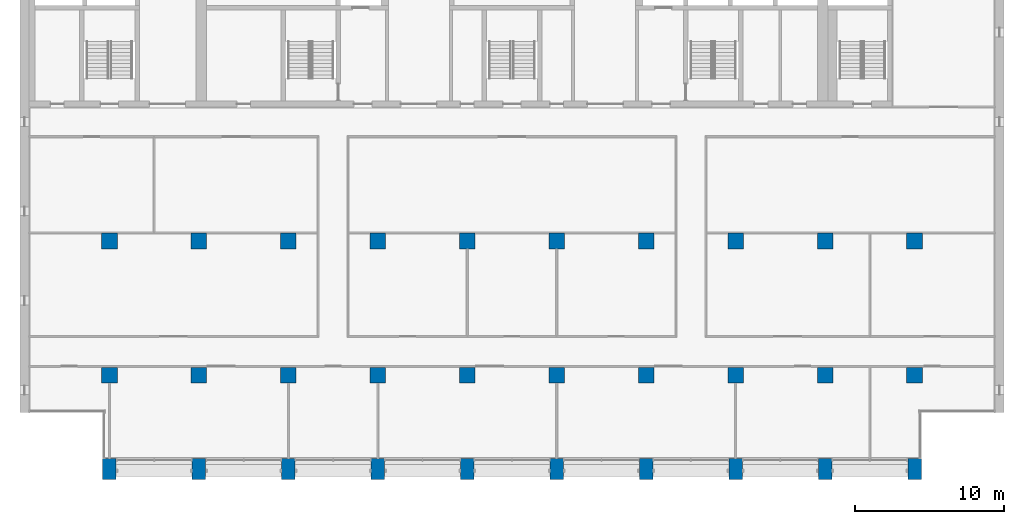
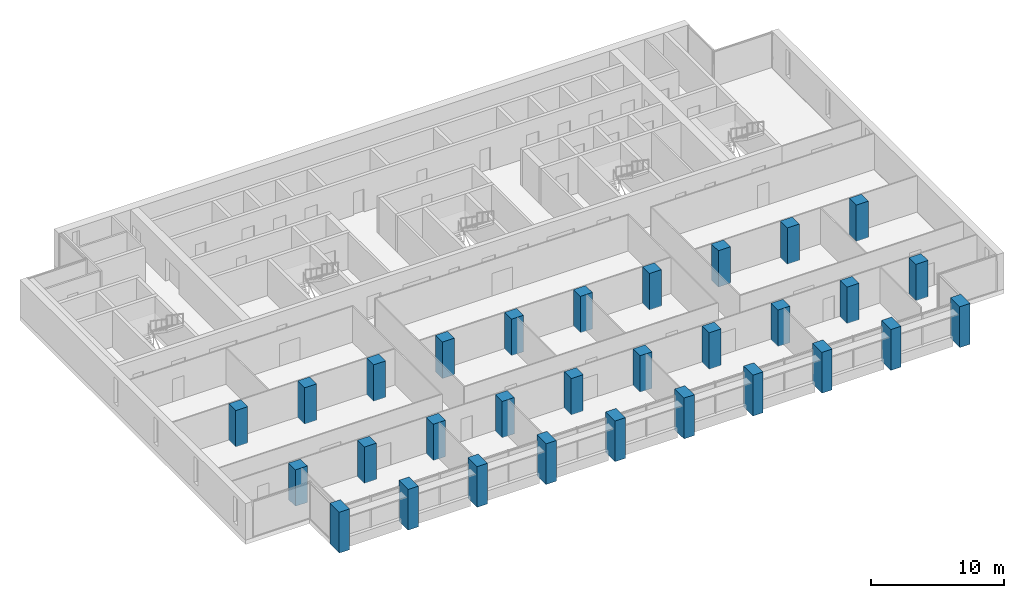
# One storey, part 1 of 17: 30 columns.
"""IFC4 building model written with IfcOpenShell, lengths in metres."""

import ifcopenshell
import ifcopenshell.guid

model = None  # the IFC model being written
_history = None  # IfcOwnerHistory: only IFC2X3 demands one
_inside = {}  # id of a spatial element -> (the spatial element, [elements in it])
_under = {}  # id of a project, library or spatial element -> (it, [spatial elements below it])
_declared = {}  # id of a project -> (the project, [libraries it declares])
_typed = {}  # id of a type object -> (the type object, [elements of that type])
_made_of = {}  # id of a material, layer set ... -> (it, [elements and type objects made of it])


def new_model(schema):
    """Start an empty IFC model of exactly this schema.

    Asked for "IFC4X3", IfcOpenShell would pick the latest addendum, in which some entities
    have other attributes; the version numbers below select the first issue.
    IFC2X3 requires an IfcOwnerHistory on every rooted entity: one is made here for all.
    """
    global model, _history
    if schema == "IFC4X3":
        model = ifcopenshell.file(schema_version=(4, 3, 0, 0))
    else:
        model = ifcopenshell.file(schema=schema)
    _inside.clear()
    _under.clear()
    _declared.clear()
    _typed.clear()
    _made_of.clear()
    _history = None
    if model.schema == "IFC2X3":
        org = make("IfcOrganization", Name="unknown")
        user = make(
            "IfcPersonAndOrganization",
            ThePerson=make("IfcPerson", FamilyName="unknown"),
            TheOrganization=org,
        )
        app = make(
            "IfcApplication",
            ApplicationDeveloper=org,
            Version="unknown",
            ApplicationFullName="unknown",
            ApplicationIdentifier="unknown",
        )
        _history = make(
            "IfcOwnerHistory",
            OwningUser=user,
            OwningApplication=app,
            ChangeAction="ADDED",
            CreationDate=0,
        )
    return model


def make(cls, **values):
    """One entity of the class cls with the attributes given. An attribute that is None is left unset."""
    return model.create_entity(
        cls, **{name: value for name, value in values.items() if value is not None}
    )


def rooted(cls, **values):
    """An entity with a GlobalId (a new one), such as an element, a storey or a relation."""
    return make(cls, GlobalId=ifcopenshell.guid.new(), OwnerHistory=_history, **values)


def si_unit(unit_type, name, prefix=None):
    """IfcSIUnit, for example si_unit("LENGTHUNIT", "METRE", prefix="MILLI")."""
    return make("IfcSIUnit", UnitType=unit_type, Prefix=prefix, Name=name)


def assignment(units):
    """IfcUnitAssignment: the units of a project."""
    return None if units is None else make("IfcUnitAssignment", Units=units)


def point(xyz):
    """IfcCartesianPoint."""
    return None if xyz is None else make("IfcCartesianPoint", Coordinates=xyz)


def direction(xyz):
    """IfcDirection."""
    return None if xyz is None else make("IfcDirection", DirectionRatios=xyz)


def frame(location, z_axis=None, x_axis=None):
    """IfcAxis2Placement3D, a coordinate frame: its origin and axes. An axis left out is left unset."""
    return make(
        "IfcAxis2Placement3D",
        Location=point(location),
        Axis=direction(z_axis),
        RefDirection=direction(x_axis),
    )


def frame_2d(location, x_axis=None):
    """IfcAxis2Placement2D, a coordinate frame in the plane: its origin and x axis."""
    return make(
        "IfcAxis2Placement2D", Location=point(location), RefDirection=direction(x_axis)
    )


def origin():
    """The frame at (0, 0, 0) with its axes left unset."""
    return frame((0.0, 0.0, 0.0))


def origin_2d():
    """The frame at (0, 0) in the plane with its x axis left unset."""
    return frame_2d((0.0, 0.0))


def place(relative_to, where):
    """IfcLocalPlacement: puts the frame where relative to a parent placement (None: the world)."""
    return make(
        "IfcLocalPlacement", PlacementRelTo=relative_to, RelativePlacement=where
    )


def context(
    kind, dimensions, precision=None, world=None, true_north=None, identifier=None
):
    """IfcGeometricRepresentationContext, for example the 3D "Model" context."""
    return make(
        "IfcGeometricRepresentationContext",
        ContextIdentifier=identifier,
        ContextType=kind,
        CoordinateSpaceDimension=dimensions,
        Precision=precision,
        WorldCoordinateSystem=world,
        TrueNorth=true_north,
    )


def subcontext(parent, identifier, kind, view, scale=None):
    """IfcGeometricRepresentationSubContext, for example "Body" below "Model"."""
    return make(
        "IfcGeometricRepresentationSubContext",
        ContextIdentifier=identifier,
        ContextType=kind,
        ParentContext=parent,
        TargetScale=scale,
        TargetView=view,
    )


def project(units=None, contexts=None):
    """IfcProject with its units and contexts."""
    return rooted(
        "IfcProject",
        Name="project",
        RepresentationContexts=contexts,
        UnitsInContext=assignment(units),
    )


def spatial(cls, under=None, at=None, **own):
    """A site, building, storey or space (cls), placed at a placement, below another one or the project."""
    s = rooted(cls, ObjectPlacement=at, **own)
    if under is not None:
        _under.setdefault(under.id(), (under, []))[1].append(s)
    return s


def profile(cls, at=None, kind="AREA", **sizes):
    """A parametric profile (cls). Its sizes go by their IFC names, for example OverallWidth=200.0."""
    return make(cls, ProfileType=kind, Position=at, **sizes)


def rectangle(**sizes):
    """IfcRectangleProfileDef."""
    return profile("IfcRectangleProfileDef", **sizes)


def extrude(swept, where, along, depth):
    """IfcExtrudedAreaSolid: the profile swept, set in the frame where, extruded along a direction by depth."""
    return make(
        "IfcExtrudedAreaSolid",
        SweptArea=swept,
        Position=where,
        ExtrudedDirection=direction(along),
        Depth=depth,
    )


def shape(context_of_items, identifier, shape_type, items):
    """IfcShapeRepresentation: the items that make up one representation, for example the "Body"."""
    return make(
        "IfcShapeRepresentation",
        ContextOfItems=context_of_items,
        RepresentationIdentifier=identifier,
        RepresentationType=shape_type,
        Items=items,
    )


def material(Name=None, Category=None):
    """IfcMaterial."""
    return make("IfcMaterial", Name=Name, Category=Category)


def material_profile(
    of_material, cross_section, Name=None, Category=None, Priority=None
):
    """IfcMaterialProfile: a cross section and its material."""
    return make(
        "IfcMaterialProfile",
        Name=Name,
        Material=of_material,
        Profile=cross_section,
        Priority=Priority,
        Category=Category,
    )


def profile_set(profiles, Name=None, composite=None):
    """IfcMaterialProfileSet."""
    return make(
        "IfcMaterialProfileSet",
        Name=Name,
        MaterialProfiles=profiles,
        CompositeProfile=composite,
    )


def made_of(thing, what):
    """Note that an element or type object is made of a material, layer set ...; save() writes the relation."""
    if what is not None:
        _made_of.setdefault(what.id(), (what, []))[1].append(thing)
    return thing


def type_object(cls, material=None, **own):
    """A type object (cls), such as IfcWallType, which elements share."""
    return made_of(rooted(cls, **own), material)


def element(
    cls,
    number,
    at=None,
    inside=None,
    cuts=None,
    type_object=None,
    material=None,
    context=None,
    identifier="Body",
    shape_type=None,
    held_by="IfcProductDefinitionShape",
    body=None,
    shapes=None,
    **own,
):
    """One element of the class cls, such as IfcWall. Its Tag is "e" and its number.

    at: its placement. inside: the storey or other place that contains it. cuts: it is an
    opening in that element (IfcRelVoidsElement). A single representation is given by context,
    identifier, shape_type and body (its items); several are given by shapes. held_by: the class
    of the entity that holds the representations. save() writes the other relations.
    """
    e = rooted(cls, Tag="e%d" % number, ObjectPlacement=at, **own)
    if body is not None:
        shapes = [shape(context, identifier, shape_type, body)]
    if shapes is not None:
        e.Representation = make(held_by, Representations=shapes)
    if inside is not None:
        _inside.setdefault(inside.id(), (inside, []))[1].append(e)
    if cuts is not None:
        rooted(
            "IfcRelVoidsElement", RelatingBuildingElement=cuts, RelatedOpeningElement=e
        )
    if type_object is not None:
        _typed.setdefault(type_object.id(), (type_object, []))[1].append(e)
    return made_of(e, material)


def aggregate(whole, parts):
    """IfcRelAggregates: a whole, such as a stair, and the parts it consists of."""
    return rooted("IfcRelAggregates", RelatingObject=whole, RelatedObjects=parts)


def save(model, path):
    """Write the relations noted so far, then the file.

    IfcRelAggregates (storeys below a building ...), IfcRelContainedInSpatialStructure (elements
    in a storey), IfcRelDefinesByType, IfcRelAssociatesMaterial and IfcRelDeclares: one each for
    every whole, place, type object, material and project.
    """
    for whole, parts in _under.values():
        aggregate(whole, parts)
    for where, things in _inside.values():
        rooted(
            "IfcRelContainedInSpatialStructure",
            RelatedElements=things,
            RelatingStructure=where,
        )
    for kind, things in _typed.values():
        rooted("IfcRelDefinesByType", RelatedObjects=things, RelatingType=kind)
    for what, things in _made_of.values():
        rooted("IfcRelAssociatesMaterial", RelatedObjects=things, RelatingMaterial=what)
    for by, libraries in _declared.values():
        rooted("IfcRelDeclares", RelatingContext=by, RelatedDefinitions=libraries)
    model.write(path)


model = new_model("IFC4")

# Units and contexts
model_context = context("Model", 3, precision=1e-05, world=origin(), true_north=direction((0.0, 1.0)))
body_context = subcontext(model_context, "Body", "Model", "MODEL_VIEW")
ifc_project = project(units=[si_unit("LENGTHUNIT", "METRE"), si_unit("AREAUNIT", "SQUARE_METRE"), si_unit("VOLUMEUNIT", "CUBIC_METRE"), si_unit("PLANEANGLEUNIT", "RADIAN"), si_unit("MASSUNIT", "GRAM", prefix="KILO")], contexts=[model_context])

# Site, building, storey
site_placement = place(None, origin())
site = spatial("IfcSite", under=ifc_project, at=site_placement, CompositionType="ELEMENT")
building_placement = place(site_placement, origin())
building = spatial("IfcBuilding", under=site, at=building_placement, Name="Calvaro Tower", CompositionType="ELEMENT")
storey_placement = place(building_placement, frame((0.0, 0.0, 200.5)))
storey = spatial("IfcBuildingStorey", under=building, at=storey_placement, Name="L50", CompositionType="ELEMENT", Elevation=200.5)

# Columns
ifc_material_1 = material(Name="Concrete C50/60", Category="concrete")
ifc_material_profile_1 = material_profile(ifc_material_1, rectangle(XDim=1.050048828125, YDim=1.050048828125, at=origin_2d()), Name="RC 1050x1050")
ifc_profile_set_1 = profile_set([ifc_material_profile_1], Name="Concrete C50/60")
column_type_1 = type_object("IfcColumnType", Name="Column 1050x1050 C50/60", PredefinedType="COLUMN", material=ifc_profile_set_1)
for number, where, z_axis, x_axis, name in (
    (1, (12.0, 10.0, 0.0), (0.0, 0.0, 1.0), (1.0, 0.0, 0.0), "Column 3B"),
    (2, (12.0, 19.0, 0.0), (0.0, 0.0, 1.0), (1.0, 0.0, 0.0), "Column 3C"),
    (3, (18.0, 10.0, 0.0), (0.0, 0.0, 1.0), (1.0, 0.0, 0.0), "Column 4B"),
    (4, (18.0, 19.0, 0.0), (0.0, 0.0, 1.0), (1.0, 0.0, 0.0), "Column 4C"),
    (5, (24.0, 10.0, 0.0), (0.0, 0.0, 1.0), (1.0, 0.0, 0.0), "Column 5B"),
    (6, (24.0, 19.0, 0.0), (0.0, 0.0, 1.0), (1.0, 0.0, 0.0), "Column 5C"),
    (7, (30.0, 10.0, 0.0), (0.0, 0.0, 1.0), (1.0, 0.0, 0.0), "Column 6B"),
    (8, (30.0, 19.0, 0.0), (0.0, 0.0, 1.0), (1.0, 0.0, 0.0), "Column 6C"),
    (9, (36.0, 10.0, 0.0), (0.0, 0.0, 1.0), (1.0, 0.0, 0.0), "Column 7B"),
    (10, (36.0, 19.0, 0.0), (0.0, 0.0, 1.0), (1.0, 0.0, 0.0), "Column 7C"),
    (11, (42.0, 10.0, 0.0), (0.0, 0.0, 1.0), (1.0, 0.0, 0.0), "Column 8B"),
    (12, (42.0, 19.0, 0.0), (0.0, 0.0, 1.0), (1.0, 0.0, 0.0), "Column 8C"),
    (13, (48.0, 10.0, 0.0), (0.0, 0.0, 1.0), (1.0, 0.0, 0.0), "Column 9B"),
    (14, (48.0, 19.0, 0.0), (0.0, 0.0, 1.0), (1.0, 0.0, 0.0), "Column 9C"),
    (15, (54.0, 10.0, 0.0), (0.0, 0.0, 1.0), (1.0, 0.0, 0.0), "Column 10B"),
    (16, (54.0, 19.0, 0.0), (0.0, 0.0, 1.0), (1.0, 0.0, 0.0), "Column 10C"),
    (17, (60.0, 10.0, 0.0), (0.0, 0.0, 1.0), (1.0, 0.0, 0.0), "Column 11B"),
    (18, (60.0, 19.0, 0.0), (0.0, 0.0, 1.0), (1.0, 0.0, 0.0), "Column 11C"),
    (19, (66.0, 10.0, 0.0), (0.0, 0.0, 1.0), (1.0, 0.0, 0.0), "Column 12B"),
    (20, (66.0, 19.0, 0.0), (0.0, 0.0, 1.0), (1.0, 0.0, 0.0), "Column 12C"),
):
    element("IfcColumn", number, at=place(storey_placement, frame(where, z_axis=z_axis, x_axis=x_axis)), inside=storey, type_object=column_type_1, Name=name, PredefinedType="COLUMN", context=body_context, shape_type="SweptSolid", body=[
        extrude(rectangle(XDim=1.050048828125, YDim=1.050048828125, at=origin_2d()), origin(), (0.0, 0.0, 1.0), 3.35009765625),
    ])
ifc_material_2 = material(Name="Concrete C50/60", Category="concrete")
ifc_material_profile_2 = material_profile(ifc_material_2, rectangle(XDim=0.89990234375, YDim=1.39990234375, at=origin_2d()), Name="RC 900x1400")
ifc_profile_set_2 = profile_set([ifc_material_profile_2], Name="Concrete C50/60")
column_type_2 = type_object("IfcColumnType", Name="Pier 900x1400 C50/60", PredefinedType="COLUMN", material=ifc_profile_set_2)
for number, where, z_axis, x_axis, name in (
    (21, (12.0, 3.699951171875, -0.39990234375), (0.0, 0.0, 1.0), (1.0, 0.0, 0.0), "South pier 3"),
    (22, (18.0, 3.699951171875, -0.39990234375), (0.0, 0.0, 1.0), (1.0, 0.0, 0.0), "South pier 4"),
    (23, (24.0, 3.699951171875, -0.39990234375), (0.0, 0.0, 1.0), (1.0, 0.0, 0.0), "South pier 5"),
    (24, (30.0, 3.699951171875, -0.39990234375), (0.0, 0.0, 1.0), (1.0, 0.0, 0.0), "South pier 6"),
    (25, (36.0, 3.699951171875, -0.39990234375), (0.0, 0.0, 1.0), (1.0, 0.0, 0.0), "South pier 7"),
    (26, (42.0, 3.699951171875, -0.39990234375), (0.0, 0.0, 1.0), (1.0, 0.0, 0.0), "South pier 8"),
    (27, (48.0, 3.699951171875, -0.39990234375), (0.0, 0.0, 1.0), (1.0, 0.0, 0.0), "South pier 9"),
    (28, (54.0, 3.699951171875, -0.39990234375), (0.0, 0.0, 1.0), (1.0, 0.0, 0.0), "South pier 10"),
    (29, (60.0, 3.699951171875, -0.39990234375), (0.0, 0.0, 1.0), (1.0, 0.0, 0.0), "South pier 11"),
    (30, (66.0, 3.699951171875, -0.39990234375), (0.0, 0.0, 1.0), (1.0, 0.0, 0.0), "South pier 12"),
):
    element("IfcColumn", number, at=place(storey_placement, frame(where, z_axis=z_axis, x_axis=x_axis)), inside=storey, type_object=column_type_2, Name=name, PredefinedType="COLUMN", context=body_context, shape_type="SweptSolid", body=[
        extrude(rectangle(XDim=0.89990234375, YDim=1.39990234375, at=origin_2d()), origin(), (0.0, 0.0, 1.0), 3.75),
    ])

save(model, "model.ifc")
